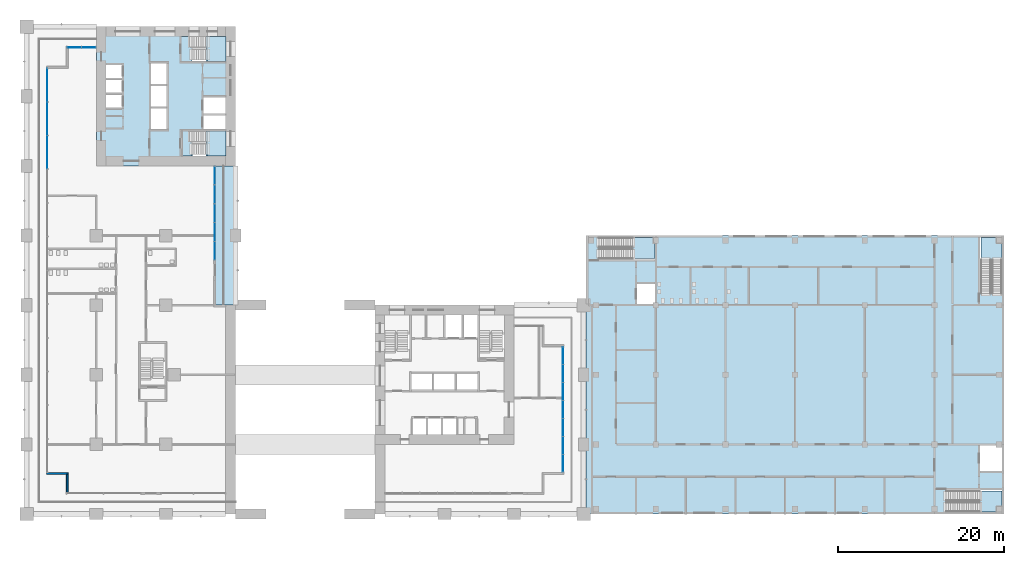
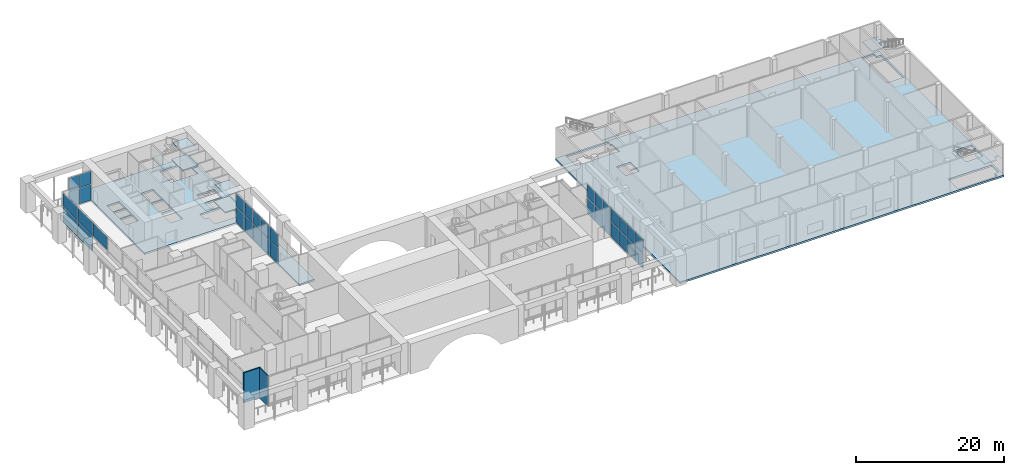
# One storey, part 9 of 26: 33 plates, 12 slabs, 2 walls, 9 elements without a shape of their own.
"""IFC4 building model written with IfcOpenShell, lengths in metres."""

from ifc_helpers import new_model, si_unit, direction, frame, frame_2d, origin, origin_2d, place, context, subcontext, project, spatial, polyline, rectangle, outline, extrude, material, layer, layer_set, type_object, element, aggregate, save


model = new_model("IFC4")

# Units and contexts
model_context = context("Model", 3, precision=1e-05, world=origin(), true_north=direction((0.0, 1.0)))
body_context = subcontext(model_context, "Body", "Model", "MODEL_VIEW")
ifc_project = project(units=[si_unit("LENGTHUNIT", "METRE"), si_unit("AREAUNIT", "SQUARE_METRE"), si_unit("VOLUMEUNIT", "CUBIC_METRE"), si_unit("PLANEANGLEUNIT", "RADIAN"), si_unit("MASSUNIT", "GRAM", prefix="KILO")], contexts=[model_context])

# Site, building, storey
site_placement = place(None, origin())
site = spatial("IfcSite", under=ifc_project, at=site_placement, CompositionType="ELEMENT")
building_placement = place(site_placement, origin())
building = spatial("IfcBuilding", under=site, at=building_placement, Name="Vermilion Gate Residences", CompositionType="ELEMENT")
storey_placement = place(building_placement, frame((0.0, 0.0, 9.0)))
storey = spatial("IfcBuildingStorey", under=building, at=storey_placement, Name="L01", CompositionType="ELEMENT", Elevation=9.0)

# Slab
ifc_material_1 = material(Name="Concrete C35", Category="concrete")
ifc_layer_1 = layer(ifc_material_1, 0.300048828125)
ifc_layer_set_1 = layer_set([ifc_layer_1], Name="FLOOR SLAB 300 C35 (MARKET HALL)")
slab_type_1 = type_object("IfcSlabType", Name="FLOOR SLAB 300 C35 (MARKET HALL)", PredefinedType="FLOOR", material=ifc_layer_set_1)
slab_1_placement = place(storey_placement, frame((0.0, 0.0, -0.300048828125)))
element("IfcSlab", 1, at=slab_1_placement, inside=storey, type_object=slab_type_1, Name="Floor slab L01", PredefinedType="FLOOR", context=body_context, shape_type="SweptSolid", body=[
    extrude(outline(polyline([(67.5, 0.0), (117.89990234375, 0.0), (117.89990234375, 33.60009765625), (67.5, 33.60009765625), (67.5, 0.0)]), holes=[polyline([(110.925048828125, 2.875), (117.64990234375, 2.875), (117.64990234375, 0.949951171875), (116.949951171875, 0.949951171875), (116.949951171875, 0.25), (110.925048828125, 0.25), (110.925048828125, 2.875)]), polyline([(115.02490234375, 5.22509765625), (115.02490234375, 8.27490234375), (117.64990234375, 8.27490234375), (117.64990234375, 5.22509765625), (115.02490234375, 5.22509765625)]), polyline([(73.625, 25.324951171875), (73.625, 27.77490234375), (75.77490234375, 27.77490234375), (75.77490234375, 25.324951171875), (73.625, 25.324951171875)]), polyline([(115.02490234375, 33.35009765625), (116.949951171875, 33.35009765625), (116.949951171875, 32.64990234375), (117.64990234375, 32.64990234375), (117.64990234375, 26.625), (115.02490234375, 26.625), (115.02490234375, 33.35009765625)]), polyline([(69.050048828125, 33.35009765625), (75.550048828125, 33.35009765625), (75.550048828125, 32.64990234375), (75.77490234375, 32.64990234375), (75.77490234375, 30.72509765625), (69.050048828125, 30.72509765625), (69.050048828125, 33.35009765625)])]), origin(), (0.0, 0.0, 1.0), 0.300048828125),
])

# Curtain wall, plates
ifc_material_2 = material(Name="Aluminium and glass", Category="aluminium")
curtain_wall_type_1 = type_object("IfcCurtainWallType", Name="LOBBY ENTRANCE GLAZING CURTAIN WALL", PredefinedType="NOTDEFINED", material=ifc_material_2)
curtain_wall_1_placement = place(storey_placement, origin())
curtain_wall_1 = element("IfcCurtainWall", 2, at=curtain_wall_1_placement, inside=storey, type_object=curtain_wall_type_1, Name="Lobby Entrance Glazing 0", PredefinedType="NOTDEFINED")
ifc_material_3 = material(Name="Low-iron laminated glass", Category="glass")
ifc_layer_2 = layer(ifc_material_3, 0.035888671875)
ifc_layer_set_2 = layer_set([ifc_layer_2], Name="LOBBY ENTRANCE GLAZING GLASS PANEL 36")
plate_type_1 = type_object("IfcPlateType", Name="LOBBY ENTRANCE GLAZING GLASS PANEL 36", PredefinedType="CURTAIN_PANEL", material=ifc_layer_set_2)
plate_1_placement = place(storey_placement, frame((7.47998046875, 56.300048828125, 0.080078125), z_axis=(0.0, 0.0, 1.0), x_axis=(-1.0, 0.0, 0.0)))
plate_1 = element("IfcPlate", 3, at=plate_1_placement, type_object=plate_type_1, Name="ECW5 panel 1.1", PredefinedType="CURTAIN_PANEL", context=body_context, shape_type="SweptSolid", body=[
    extrude(rectangle(XDim=1.679931640625, YDim=0.035888671875, at=origin_2d()), origin(), (0.0, 0.0, 1.0), 2.580078125),
])
plate_2_placement = place(storey_placement, frame((7.47998046875, 56.300048828125, 2.739990234375), z_axis=(0.0, 0.0, 1.0), x_axis=(-1.0, 0.0, 0.0)))
plate_2 = element("IfcPlate", 4, at=plate_2_placement, type_object=plate_type_1, Name="ECW5 panel 1.2", PredefinedType="CURTAIN_PANEL", context=body_context, shape_type="SweptSolid", body=[
    extrude(rectangle(XDim=1.679931640625, YDim=0.035888671875, at=origin_2d()), origin(), (0.0, 0.0, 1.0), 2.1298828125),
])
plate_3_placement = place(storey_placement, frame((5.719970703125, 56.300048828125, 0.080078125), z_axis=(0.0, 0.0, 1.0), x_axis=(-1.0, 0.0, 0.0)))
plate_3 = element("IfcPlate", 5, at=plate_3_placement, type_object=plate_type_1, Name="ECW5 panel 2.1", PredefinedType="CURTAIN_PANEL", context=body_context, shape_type="SweptSolid", body=[
    extrude(rectangle(XDim=1.679931640625, YDim=0.035888671875, at=origin_2d()), origin(), (0.0, 0.0, 1.0), 2.580078125),
])
plate_4_placement = place(storey_placement, frame((5.719970703125, 56.300048828125, 2.739990234375), z_axis=(0.0, 0.0, 1.0), x_axis=(-1.0, 0.0, 0.0)))
plate_4 = element("IfcPlate", 6, at=plate_4_placement, type_object=plate_type_1, Name="ECW5 panel 2.2", PredefinedType="CURTAIN_PANEL", context=body_context, shape_type="SweptSolid", body=[
    extrude(rectangle(XDim=1.679931640625, YDim=0.035888671875, at=origin_2d()), origin(), (0.0, 0.0, 1.0), 2.1298828125),
])
aggregate(curtain_wall_1, [plate_1, plate_2, plate_3, plate_4])

curtain_wall_2_placement = place(storey_placement, origin())
curtain_wall_2 = element("IfcCurtainWall", 7, at=curtain_wall_2_placement, inside=storey, type_object=curtain_wall_type_1, Name="Lobby Entrance Glazing 82", PredefinedType="NOTDEFINED")
plate_5_placement = place(storey_placement, frame((22.699951171875, 31.760009765625, 0.080078125), z_axis=(0.0, 0.0, 1.0), x_axis=(0.0, 1.0, 0.0)))
plate_5 = element("IfcPlate", 8, at=plate_5_placement, type_object=plate_type_1, Name="ECW5 panel 1.1", PredefinedType="CURTAIN_PANEL", context=body_context, shape_type="SweptSolid", body=[
    extrude(rectangle(XDim=2.159912109375, YDim=0.035888671875, at=origin_2d()), origin(), (0.0, 0.0, 1.0), 2.580078125),
])
plate_6_placement = place(storey_placement, frame((22.699951171875, 31.760009765625, 2.739990234375), z_axis=(0.0, 0.0, 1.0), x_axis=(0.0, 1.0, 0.0)))
plate_6 = element("IfcPlate", 9, at=plate_6_placement, type_object=plate_type_1, Name="ECW5 panel 1.2", PredefinedType="CURTAIN_PANEL", context=body_context, shape_type="SweptSolid", body=[
    extrude(rectangle(XDim=2.159912109375, YDim=0.035888671875, at=origin_2d()), origin(), (0.0, 0.0, 1.0), 2.1298828125),
])
plate_7_placement = place(storey_placement, frame((22.699951171875, 34.02001953125, 0.080078125), z_axis=(0.0, 0.0, 1.0), x_axis=(0.0, 1.0, 0.0)))
plate_7 = element("IfcPlate", 10, at=plate_7_placement, type_object=plate_type_1, Name="ECW5 panel 2.1", PredefinedType="CURTAIN_PANEL", context=body_context, shape_type="SweptSolid", body=[
    extrude(rectangle(XDim=2.199951171875, YDim=0.035888671875, at=origin_2d()), origin(), (0.0, 0.0, 1.0), 2.580078125),
])
plate_8_placement = place(storey_placement, frame((22.699951171875, 34.02001953125, 2.739990234375), z_axis=(0.0, 0.0, 1.0), x_axis=(0.0, 1.0, 0.0)))
plate_8 = element("IfcPlate", 11, at=plate_8_placement, type_object=plate_type_1, Name="ECW5 panel 2.2", PredefinedType="CURTAIN_PANEL", context=body_context, shape_type="SweptSolid", body=[
    extrude(rectangle(XDim=2.199951171875, YDim=0.035888671875, at=origin_2d()), origin(), (0.0, 0.0, 1.0), 2.1298828125),
])
plate_9_placement = place(storey_placement, frame((22.699951171875, 36.300048828125, 0.080078125), z_axis=(0.0, 0.0, 1.0), x_axis=(0.0, 1.0, 0.0)))
plate_9 = element("IfcPlate", 12, at=plate_9_placement, type_object=plate_type_1, Name="ECW5 panel 3.1", PredefinedType="CURTAIN_PANEL", context=body_context, shape_type="SweptSolid", body=[
    extrude(rectangle(XDim=2.199951171875, YDim=0.035888671875, at=origin_2d()), origin(), (0.0, 0.0, 1.0), 2.580078125),
])
plate_10_placement = place(storey_placement, frame((22.699951171875, 36.300048828125, 2.739990234375), z_axis=(0.0, 0.0, 1.0), x_axis=(0.0, 1.0, 0.0)))
plate_10 = element("IfcPlate", 13, at=plate_10_placement, type_object=plate_type_1, Name="ECW5 panel 3.2", PredefinedType="CURTAIN_PANEL", context=body_context, shape_type="SweptSolid", body=[
    extrude(rectangle(XDim=2.199951171875, YDim=0.035888671875, at=origin_2d()), origin(), (0.0, 0.0, 1.0), 2.1298828125),
])
plate_11_placement = place(storey_placement, frame((22.699951171875, 38.580078125, 0.080078125), z_axis=(0.0, 0.0, 1.0), x_axis=(0.0, 1.0, 0.0)))
plate_11 = element("IfcPlate", 14, at=plate_11_placement, type_object=plate_type_1, Name="ECW5 panel 4.1", PredefinedType="CURTAIN_PANEL", context=body_context, shape_type="SweptSolid", body=[
    extrude(rectangle(XDim=2.199951171875, YDim=0.035888671875, at=origin_2d()), origin(), (0.0, 0.0, 1.0), 2.580078125),
])
plate_12_placement = place(storey_placement, frame((22.699951171875, 38.580078125, 2.739990234375), z_axis=(0.0, 0.0, 1.0), x_axis=(0.0, 1.0, 0.0)))
plate_12 = element("IfcPlate", 15, at=plate_12_placement, type_object=plate_type_1, Name="ECW5 panel 4.2", PredefinedType="CURTAIN_PANEL", context=body_context, shape_type="SweptSolid", body=[
    extrude(rectangle(XDim=2.199951171875, YDim=0.035888671875, at=origin_2d()), origin(), (0.0, 0.0, 1.0), 2.1298828125),
])
plate_13_placement = place(storey_placement, frame((22.699951171875, 40.840087890625, 0.080078125), z_axis=(0.0, 0.0, 1.0), x_axis=(0.0, 1.0, 0.0)))
plate_13 = element("IfcPlate", 16, at=plate_13_placement, type_object=plate_type_1, Name="ECW5 panel 5.1", PredefinedType="CURTAIN_PANEL", context=body_context, shape_type="SweptSolid", body=[
    extrude(rectangle(XDim=2.159912109375, YDim=0.035888671875, at=origin_2d()), origin(), (0.0, 0.0, 1.0), 2.580078125),
])
plate_14_placement = place(storey_placement, frame((22.699951171875, 40.840087890625, 2.739990234375), z_axis=(0.0, 0.0, 1.0), x_axis=(0.0, 1.0, 0.0)))
plate_14 = element("IfcPlate", 17, at=plate_14_placement, type_object=plate_type_1, Name="ECW5 panel 5.2", PredefinedType="CURTAIN_PANEL", context=body_context, shape_type="SweptSolid", body=[
    extrude(rectangle(XDim=2.159912109375, YDim=0.035888671875, at=origin_2d()), origin(), (0.0, 0.0, 1.0), 2.1298828125),
])
aggregate(curtain_wall_2, [plate_5, plate_6, plate_7, plate_8, plate_9, plate_10, plate_11, plate_12, plate_13, plate_14])

curtain_wall_3_placement = place(storey_placement, origin())
curtain_wall_3 = element("IfcCurtainWall", 18, at=curtain_wall_3_placement, inside=storey, type_object=curtain_wall_type_1, Name="Lobby Entrance Glazing 120", PredefinedType="NOTDEFINED")
plate_15_placement = place(storey_placement, frame((64.699951171875, 6.105712890625, 0.080078125), z_axis=(0.0, 0.0, 1.0), x_axis=(0.0, 1.0, 0.0)))
plate_15 = element("IfcPlate", 19, at=plate_15_placement, type_object=plate_type_1, Name="ECW5 panel 1.1", PredefinedType="CURTAIN_PANEL", context=body_context, shape_type="SweptSolid", body=[
    extrude(rectangle(XDim=2.051513671875, YDim=0.035888671875, at=origin_2d()), origin(), (0.0, 0.0, 1.0), 2.580078125),
])
plate_16_placement = place(storey_placement, frame((64.699951171875, 6.105712890625, 2.739990234375), z_axis=(0.0, 0.0, 1.0), x_axis=(0.0, 1.0, 0.0)))
plate_16 = element("IfcPlate", 20, at=plate_16_placement, type_object=plate_type_1, Name="ECW5 panel 1.2", PredefinedType="CURTAIN_PANEL", context=body_context, shape_type="SweptSolid", body=[
    extrude(rectangle(XDim=2.051513671875, YDim=0.035888671875, at=origin_2d()), origin(), (0.0, 0.0, 1.0), 2.1298828125),
])
plate_17_placement = place(storey_placement, frame((64.699951171875, 8.257080078125, 0.080078125), z_axis=(0.0, 0.0, 1.0), x_axis=(0.0, 1.0, 0.0)))
plate_17 = element("IfcPlate", 21, at=plate_17_placement, type_object=plate_type_1, Name="ECW5 panel 2.1", PredefinedType="CURTAIN_PANEL", context=body_context, shape_type="SweptSolid", body=[
    extrude(rectangle(XDim=2.09130859375, YDim=0.035888671875, at=origin_2d()), origin(), (0.0, 0.0, 1.0), 2.580078125),
])
plate_18_placement = place(storey_placement, frame((64.699951171875, 8.257080078125, 2.739990234375), z_axis=(0.0, 0.0, 1.0), x_axis=(0.0, 1.0, 0.0)))
plate_18 = element("IfcPlate", 22, at=plate_18_placement, type_object=plate_type_1, Name="ECW5 panel 2.2", PredefinedType="CURTAIN_PANEL", context=body_context, shape_type="SweptSolid", body=[
    extrude(rectangle(XDim=2.09130859375, YDim=0.035888671875, at=origin_2d()), origin(), (0.0, 0.0, 1.0), 2.1298828125),
])
plate_19_placement = place(storey_placement, frame((64.699951171875, 10.428466796875, 0.080078125), z_axis=(0.0, 0.0, 1.0), x_axis=(0.0, 1.0, 0.0)))
plate_19 = element("IfcPlate", 23, at=plate_19_placement, type_object=plate_type_1, Name="ECW5 panel 3.1", PredefinedType="CURTAIN_PANEL", context=body_context, shape_type="SweptSolid", body=[
    extrude(rectangle(XDim=2.09130859375, YDim=0.035888671875, at=origin_2d()), origin(), (0.0, 0.0, 1.0), 2.580078125),
])
plate_20_placement = place(storey_placement, frame((64.699951171875, 10.428466796875, 2.739990234375), z_axis=(0.0, 0.0, 1.0), x_axis=(0.0, 1.0, 0.0)))
plate_20 = element("IfcPlate", 24, at=plate_20_placement, type_object=plate_type_1, Name="ECW5 panel 3.2", PredefinedType="CURTAIN_PANEL", context=body_context, shape_type="SweptSolid", body=[
    extrude(rectangle(XDim=2.09130859375, YDim=0.035888671875, at=origin_2d()), origin(), (0.0, 0.0, 1.0), 2.1298828125),
])
plate_21_placement = place(storey_placement, frame((64.699951171875, 12.60009765625, 0.080078125), z_axis=(0.0, 0.0, 1.0), x_axis=(0.0, 1.0, 0.0)))
plate_21 = element("IfcPlate", 25, at=plate_21_placement, type_object=plate_type_1, Name="ECW5 panel 4.1", PredefinedType="CURTAIN_PANEL", context=body_context, shape_type="SweptSolid", body=[
    extrude(rectangle(XDim=2.09130859375, YDim=0.035888671875, at=origin_2d()), origin(), (0.0, 0.0, 1.0), 2.580078125),
])
plate_22_placement = place(storey_placement, frame((64.699951171875, 12.60009765625, 2.739990234375), z_axis=(0.0, 0.0, 1.0), x_axis=(0.0, 1.0, 0.0)))
plate_22 = element("IfcPlate", 26, at=plate_22_placement, type_object=plate_type_1, Name="ECW5 panel 4.2", PredefinedType="CURTAIN_PANEL", context=body_context, shape_type="SweptSolid", body=[
    extrude(rectangle(XDim=2.09130859375, YDim=0.035888671875, at=origin_2d()), origin(), (0.0, 0.0, 1.0), 2.1298828125),
])
plate_23_placement = place(storey_placement, frame((64.699951171875, 14.771484375, 0.080078125), z_axis=(0.0, 0.0, 1.0), x_axis=(0.0, 1.0, 0.0)))
plate_23 = element("IfcPlate", 27, at=plate_23_placement, type_object=plate_type_1, Name="ECW5 panel 5.1", PredefinedType="CURTAIN_PANEL", context=body_context, shape_type="SweptSolid", body=[
    extrude(rectangle(XDim=2.09130859375, YDim=0.035888671875, at=origin_2d()), origin(), (0.0, 0.0, 1.0), 2.580078125),
])
plate_24_placement = place(storey_placement, frame((64.699951171875, 14.771484375, 2.739990234375), z_axis=(0.0, 0.0, 1.0), x_axis=(0.0, 1.0, 0.0)))
plate_24 = element("IfcPlate", 28, at=plate_24_placement, type_object=plate_type_1, Name="ECW5 panel 5.2", PredefinedType="CURTAIN_PANEL", context=body_context, shape_type="SweptSolid", body=[
    extrude(rectangle(XDim=2.09130859375, YDim=0.035888671875, at=origin_2d()), origin(), (0.0, 0.0, 1.0), 2.1298828125),
])
plate_25_placement = place(storey_placement, frame((64.699951171875, 16.94287109375, 0.080078125), z_axis=(0.0, 0.0, 1.0), x_axis=(0.0, 1.0, 0.0)))
plate_25 = element("IfcPlate", 29, at=plate_25_placement, type_object=plate_type_1, Name="ECW5 panel 6.1", PredefinedType="CURTAIN_PANEL", context=body_context, shape_type="SweptSolid", body=[
    extrude(rectangle(XDim=2.09130859375, YDim=0.035888671875, at=origin_2d()), origin(), (0.0, 0.0, 1.0), 2.580078125),
])
plate_26_placement = place(storey_placement, frame((64.699951171875, 16.94287109375, 2.739990234375), z_axis=(0.0, 0.0, 1.0), x_axis=(0.0, 1.0, 0.0)))
plate_26 = element("IfcPlate", 30, at=plate_26_placement, type_object=plate_type_1, Name="ECW5 panel 6.2", PredefinedType="CURTAIN_PANEL", context=body_context, shape_type="SweptSolid", body=[
    extrude(rectangle(XDim=2.09130859375, YDim=0.035888671875, at=origin_2d()), origin(), (0.0, 0.0, 1.0), 2.1298828125),
])
plate_27_placement = place(storey_placement, frame((64.699951171875, 19.09423828125, 0.080078125), z_axis=(0.0, 0.0, 1.0), x_axis=(0.0, 1.0, 0.0)))
plate_27 = element("IfcPlate", 31, at=plate_27_placement, type_object=plate_type_1, Name="ECW5 panel 7.1", PredefinedType="CURTAIN_PANEL", context=body_context, shape_type="SweptSolid", body=[
    extrude(rectangle(XDim=2.051513671875, YDim=0.035888671875, at=origin_2d()), origin(), (0.0, 0.0, 1.0), 2.580078125),
])
plate_28_placement = place(storey_placement, frame((64.699951171875, 19.09423828125, 2.739990234375), z_axis=(0.0, 0.0, 1.0), x_axis=(0.0, 1.0, 0.0)))
plate_28 = element("IfcPlate", 32, at=plate_28_placement, type_object=plate_type_1, Name="ECW5 panel 7.2", PredefinedType="CURTAIN_PANEL", context=body_context, shape_type="SweptSolid", body=[
    extrude(rectangle(XDim=2.051513671875, YDim=0.035888671875, at=origin_2d()), origin(), (0.0, 0.0, 1.0), 2.1298828125),
])
aggregate(curtain_wall_3, [plate_15, plate_16, plate_17, plate_18, plate_19, plate_20, plate_21, plate_22, plate_23, plate_24, plate_25, plate_26, plate_27, plate_28])

ifc_material_4 = material(Name="Aluminium and glass", Category="aluminium")
curtain_wall_type_2 = type_object("IfcCurtainWallType", Name="PODIUM SHOPFRONT CURTAIN WALL", PredefinedType="NOTDEFINED", material=ifc_material_4)
curtain_wall_4_placement = place(storey_placement, origin())
curtain_wall_4 = element("IfcCurtainWall", 33, at=curtain_wall_4_placement, inside=storey, type_object=curtain_wall_type_2, Name="Podium Shopfront 30", PredefinedType="NOTDEFINED")
ifc_material_5 = material(Name="Clear laminated glass", Category="glass")
ifc_layer_3 = layer(ifc_material_5, 0.031982421875)
ifc_layer_set_3 = layer_set([ifc_layer_3], Name="PODIUM SHOPFRONT GLASS PANEL 32")
plate_type_2 = type_object("IfcPlateType", Name="PODIUM SHOPFRONT GLASS PANEL 32", PredefinedType="CURTAIN_PANEL", material=ifc_layer_set_3)
plate_29_placement = place(storey_placement, frame((2.5, 51.751708984375, 0.06005859375), z_axis=(0.0, 0.0, 1.0), x_axis=(0.0, -1.0, 0.0)))
plate_29 = element("IfcPlate", 34, at=plate_29_placement, type_object=plate_type_2, Name="ECW1 panel 1.1", PredefinedType="CURTAIN_PANEL", context=body_context, shape_type="SweptSolid", body=[
    extrude(rectangle(XDim=3.9765625, YDim=0.031982421875, at=origin_2d()), origin(), (0.0, 0.0, 1.0), 2.610107421875),
])
plate_30_placement = place(storey_placement, frame((2.5, 51.751708984375, 2.72998046875), z_axis=(0.0, 0.0, 1.0), x_axis=(0.0, -1.0, 0.0)))
plate_30 = element("IfcPlate", 35, at=plate_30_placement, type_object=plate_type_2, Name="ECW1 panel 1.2", PredefinedType="CURTAIN_PANEL", context=body_context, shape_type="SweptSolid", body=[
    extrude(rectangle(XDim=3.9765625, YDim=0.031982421875, at=origin_2d()), origin(), (0.0, 0.0, 1.0), 2.159912109375),
])
plate_31_placement = place(storey_placement, frame((2.5, 47.699951171875, 0.06005859375), z_axis=(0.0, 0.0, 1.0), x_axis=(0.0, -1.0, 0.0)))
plate_31 = element("IfcPlate", 36, at=plate_31_placement, type_object=plate_type_2, Name="ECW1 panel 2.1", PredefinedType="CURTAIN_PANEL", context=body_context, shape_type="SweptSolid", body=[
    extrude(rectangle(XDim=4.006591796875, YDim=0.031982421875, at=origin_2d()), origin(), (0.0, 0.0, 1.0), 2.610107421875),
])
plate_32_placement = place(storey_placement, frame((2.5, 47.699951171875, 2.72998046875), z_axis=(0.0, 0.0, 1.0), x_axis=(0.0, -1.0, 0.0)))
plate_32 = element("IfcPlate", 37, at=plate_32_placement, type_object=plate_type_2, Name="ECW1 panel 2.2", PredefinedType="CURTAIN_PANEL", context=body_context, shape_type="SweptSolid", body=[
    extrude(rectangle(XDim=4.006591796875, YDim=0.031982421875, at=origin_2d()), origin(), (0.0, 0.0, 1.0), 2.159912109375),
])
plate_33_placement = place(storey_placement, frame((2.5, 43.63330078125, 2.72998046875), z_axis=(0.0, 0.0, 1.0), x_axis=(0.0, -1.0, 0.0)))
plate_33 = element("IfcPlate", 38, at=plate_33_placement, type_object=plate_type_2, Name="ECW1 panel 3.2", PredefinedType="CURTAIN_PANEL", context=body_context, shape_type="SweptSolid", body=[
    extrude(rectangle(XDim=4.006591796875, YDim=0.031982421875, at=origin_2d()), origin(), (0.0, 0.0, 1.0), 2.159912109375),
])
aggregate(curtain_wall_4, [plate_29, plate_30, plate_31, plate_32, plate_33])

# Slabs
ifc_material_6 = material(Name="Concrete C50", Category="concrete")
ifc_layer_4 = layer(ifc_material_6, 0.300048828125)
ifc_layer_set_4 = layer_set([ifc_layer_4], Name="RC CORE FLOOR SLAB 300 C50")
slab_type_2 = type_object("IfcSlabType", Name="RC CORE FLOOR SLAB 300 C50", PredefinedType="FLOOR", material=ifc_layer_set_4)
slab_2_placement = place(storey_placement, frame((0.0, 0.0, -0.300048828125)))
element("IfcSlab", 39, at=slab_2_placement, inside=storey, type_object=slab_type_2, Name="Core floor slab B01", PredefinedType="FLOOR", context=body_context, shape_type="SweptSolid", body=[
    extrude(outline(polyline([(8.39990234375, 42.0), (25.199951171875, 42.0), (25.199951171875, 58.800048828125), (8.39990234375, 58.800048828125), (8.39990234375, 42.0)]), holes=[polyline([(15.0, 48.933349609375), (16.89990234375, 48.933349609375), (16.89990234375, 46.39990234375), (15.0, 46.39990234375), (15.0, 48.933349609375)]), polyline([(9.60009765625, 50.60009765625), (11.5, 50.60009765625), (11.5, 49.0), (9.60009765625, 49.0), (9.60009765625, 50.60009765625)]), polyline([(15.0, 51.666748046875), (16.89990234375, 51.666748046875), (16.89990234375, 49.13330078125), (15.0, 49.13330078125), (15.0, 51.666748046875)]), polyline([(11.5, 52.39990234375), (11.5, 50.800048828125), (9.60009765625, 50.800048828125), (9.60009765625, 52.39990234375), (11.5, 52.39990234375)]), polyline([(16.89990234375, 54.39990234375), (16.89990234375, 51.86669921875), (15.0, 51.86669921875), (15.0, 54.39990234375), (16.89990234375, 54.39990234375)]), polyline([(9.60009765625, 54.199951171875), (11.5, 54.199951171875), (11.5, 52.60009765625), (9.60009765625, 52.60009765625), (9.60009765625, 54.199951171875)]), polyline([(20.0, 43.199951171875), (20.0, 44.89990234375), (19.467529296875, 44.89990234375), (19.467529296875, 46.199951171875), (20.0, 46.199951171875), (24.0, 46.199951171875), (24.0, 43.199951171875), (20.0, 43.199951171875)]), polyline([(21.300048828125, 48.10009765625), (24.0, 48.10009765625), (24.0, 46.39990234375), (21.300048828125, 46.39990234375), (21.300048828125, 48.10009765625)]), polyline([(24.0, 50.300048828125), (24.0, 48.300048828125), (21.300048828125, 48.300048828125), (21.300048828125, 50.300048828125), (24.0, 50.300048828125)]), polyline([(24.0, 57.60009765625), (24.0, 54.60009765625), (19.75, 54.60009765625), (19.75, 57.60009765625), (24.0, 57.60009765625)])]), origin(), (0.0, 0.0, 1.0), 0.300048828125),
])
ifc_material_7 = material(Name="Concrete C50 red-oxide pigmented", Category="concrete")
ifc_layer_5 = layer(ifc_material_7, 0.300048828125)
ifc_layer_set_5 = layer_set([ifc_layer_5], Name="RC LOGGIA SLAB 300 C50")
slab_type_3 = type_object("IfcSlabType", Name="RC LOGGIA SLAB 300 C50", PredefinedType="FLOOR", material=ifc_layer_set_5)
slab_3_placement = place(storey_placement, frame((0.0, 0.0, -0.300048828125)))
element("IfcSlab", 40, at=slab_3_placement, inside=storey, type_object=slab_type_3, Name="Loggia slab L01", PredefinedType="FLOOR", context=body_context, shape_type="SweptSolid", body=[
    extrude(outline(polyline([(25.199951171875, 25.199951171875), (25.199951171875, 42.0), (22.800048828125, 42.0), (22.800048828125, 25.199951171875), (25.199951171875, 25.199951171875)])), origin(), (0.0, 0.0, 1.0), 0.300048828125),
])

# Stair, slab
ifc_material_8 = material(Name="Concrete C35", Category="concrete")
stair_type_1 = type_object("IfcStairType", Name="RC STAIR 1200 (MARKET HALL)", PredefinedType="HALF_TURN_STAIR", material=ifc_material_8)
stair_1_placement = place(storey_placement, origin())
stair_1 = element("IfcStair", 41, at=stair_1_placement, inside=storey, type_object=stair_type_1, Name="Stair STH1-01", PredefinedType="HALF_TURN_STAIR")
ifc_material_9 = material(Name="Concrete C35", Category="concrete")
ifc_layer_6 = layer(ifc_material_9, 0.199951171875)
ifc_layer_set_6 = layer_set([ifc_layer_6], Name="STAIR LANDING 200 C35 (MARKET HALL)")
slab_type_4 = type_object("IfcSlabType", Name="STAIR LANDING 200 C35 (MARKET HALL)", PredefinedType="LANDING", material=ifc_layer_set_6)
slab_4_placement = place(storey_placement, frame((0.0, 0.0, 2.5)))
slab_4 = element("IfcSlab", 42, at=slab_4_placement, type_object=slab_type_4, Name="STH1-01 landing 1", PredefinedType="LANDING", context=body_context, shape_type="SweptSolid", body=[
    extrude(outline(polyline([(75.550048828125, 33.35009765625), (73.10009765625, 33.35009765625), (73.10009765625, 30.800048828125), (75.784912109375, 30.800048828125), (75.784912109375, 32.64990234375), (75.550048828125, 32.64990234375), (75.550048828125, 33.35009765625)])), origin(), (0.0, 0.0, 1.0), 0.199951171875),
])
aggregate(stair_1, [slab_4])

stair_2_placement = place(storey_placement, origin())
stair_2 = element("IfcStair", 43, at=stair_2_placement, inside=storey, type_object=stair_type_1, Name="Stair STH2-01", PredefinedType="HALF_TURN_STAIR")
slab_5_placement = place(storey_placement, frame((0.0, 0.0, 2.5)))
slab_5 = element("IfcSlab", 44, at=slab_5_placement, type_object=slab_type_4, Name="STH2-01 landing 1", PredefinedType="LANDING", context=body_context, shape_type="SweptSolid", body=[
    extrude(outline(polyline([(116.949951171875, 0.949951171875), (117.64990234375, 0.949951171875), (117.64990234375, 0.25), (117.659912109375, 0.25), (117.659912109375, 2.800048828125), (114.97509765625, 2.800048828125), (114.97509765625, 0.25), (116.949951171875, 0.25), (116.949951171875, 0.949951171875)])), origin(), (0.0, 0.0, 1.0), 0.199951171875),
])
aggregate(stair_2, [slab_5])

stair_3_placement = place(storey_placement, origin())
stair_3 = element("IfcStair", 45, at=stair_3_placement, inside=storey, type_object=stair_type_1, Name="Stair STH3-01", PredefinedType="HALF_TURN_STAIR")
slab_6_placement = place(storey_placement, frame((0.0, 0.0, 2.5)))
slab_6 = element("IfcSlab", 46, at=slab_6_placement, type_object=slab_type_4, Name="STH3-01 landing 1", PredefinedType="LANDING", context=body_context, shape_type="SweptSolid", body=[
    extrude(outline(polyline([(117.64990234375, 33.360107421875), (115.10009765625, 33.360107421875), (115.10009765625, 30.675048828125), (117.64990234375, 30.675048828125), (117.64990234375, 32.64990234375), (116.949951171875, 32.64990234375), (116.949951171875, 33.35009765625), (117.64990234375, 33.35009765625), (117.64990234375, 33.360107421875)])), origin(), (0.0, 0.0, 1.0), 0.199951171875),
])
aggregate(stair_3, [slab_6])

# Stair, slabs
ifc_material_10 = material(Name="Concrete C50", Category="concrete")
stair_type_2 = type_object("IfcStairType", Name="SPECIAL ESCAPE STAIR 1300", PredefinedType="HALF_TURN_STAIR", material=ifc_material_10)
stair_4_placement = place(storey_placement, origin())
stair_4 = element("IfcStair", 47, at=stair_4_placement, inside=storey, type_object=stair_type_2, Name="Special escape stair STB1-01", PredefinedType="HALF_TURN_STAIR")
ifc_material_11 = material(Name="Concrete C50", Category="concrete")
ifc_layer_7 = layer(ifc_material_11, 0.199951171875)
ifc_layer_set_7 = layer_set([ifc_layer_7], Name="STAIR LANDING 200 C50")
slab_type_5 = type_object("IfcSlabType", Name="STAIR LANDING 200 C50", PredefinedType="LANDING", material=ifc_layer_set_7)
slab_7_placement = place(storey_placement, frame((0.0, 0.0, 1.14990234375)))
slab_7 = element("IfcSlab", 48, at=slab_7_placement, type_object=slab_type_5, Name="STB1-01 landing 1", PredefinedType="LANDING", context=body_context, shape_type="SweptSolid", body=[
    extrude(outline(polyline([(24.02001953125, 54.580078125), (24.02001953125, 57.6201171875), (21.639892578125, 57.6201171875), (21.639892578125, 54.580078125), (24.02001953125, 54.580078125)])), origin(), (0.0, 0.0, 1.0), 0.2001953125),
])
slab_8_placement = place(storey_placement, frame((0.0, 0.0, 2.5)))
slab_8 = element("IfcSlab", 49, at=slab_8_placement, type_object=slab_type_5, Name="STB1-01 landing 2", PredefinedType="LANDING", context=body_context, shape_type="SweptSolid", body=[
    extrude(outline(polyline([(19.929931640625, 54.580078125), (19.929931640625, 57.6201171875), (18.6298828125, 57.6201171875), (18.6298828125, 54.580078125), (19.929931640625, 54.580078125)])), origin(), (0.0, 0.0, 1.0), 0.199951171875),
])
slab_9_placement = place(storey_placement, frame((0.0, 0.0, 3.85009765625)))
slab_9 = element("IfcSlab", 50, at=slab_9_placement, type_object=slab_type_5, Name="STB1-01 landing 3", PredefinedType="LANDING", context=body_context, shape_type="SweptSolid", body=[
    extrude(outline(polyline([(24.02001953125, 54.580078125), (24.02001953125, 57.6201171875), (21.820068359375, 57.6201171875), (21.820068359375, 54.580078125), (24.02001953125, 54.580078125)])), origin(), (0.0, 0.0, 1.0), 0.199951171875),
])
aggregate(stair_4, [slab_7, slab_8, slab_9])

stair_5_placement = place(storey_placement, origin())
stair_5 = element("IfcStair", 51, at=stair_5_placement, inside=storey, type_object=stair_type_2, Name="Special escape stair STB2-01", PredefinedType="HALF_TURN_STAIR")
slab_10_placement = place(storey_placement, frame((0.0, 0.0, 1.14990234375)))
slab_10 = element("IfcSlab", 52, at=slab_10_placement, type_object=slab_type_5, Name="STB2-01 landing 1", PredefinedType="LANDING", context=body_context, shape_type="SweptSolid", body=[
    extrude(outline(polyline([(24.02001953125, 43.179931640625), (24.02001953125, 46.219970703125), (21.639892578125, 46.219970703125), (21.639892578125, 43.179931640625), (24.02001953125, 43.179931640625)])), origin(), (0.0, 0.0, 1.0), 0.2001953125),
])
slab_11_placement = place(storey_placement, frame((0.0, 0.0, 2.5)))
slab_11 = element("IfcSlab", 53, at=slab_11_placement, type_object=slab_type_5, Name="STB2-01 landing 2", PredefinedType="LANDING", context=body_context, shape_type="SweptSolid", body=[
    extrude(outline(polyline([(19.929931640625, 43.179931640625), (19.929931640625, 46.219970703125), (18.6298828125, 46.219970703125), (18.6298828125, 43.179931640625), (19.929931640625, 43.179931640625)])), origin(), (0.0, 0.0, 1.0), 0.199951171875),
])
slab_12_placement = place(storey_placement, frame((0.0, 0.0, 3.85009765625)))
slab_12 = element("IfcSlab", 54, at=slab_12_placement, type_object=slab_type_5, Name="STB2-01 landing 3", PredefinedType="LANDING", context=body_context, shape_type="SweptSolid", body=[
    extrude(outline(polyline([(24.02001953125, 43.179931640625), (24.02001953125, 46.219970703125), (21.820068359375, 46.219970703125), (21.820068359375, 43.179931640625), (24.02001953125, 43.179931640625)])), origin(), (0.0, 0.0, 1.0), 0.199951171875),
])
aggregate(stair_5, [slab_10, slab_11, slab_12])

# Walls
ifc_material_12 = material(Name="Insulated steel stud wall with terracotta rainscreen", Category="masonry")
ifc_layer_8 = layer(ifc_material_12, 0.199951171875)
ifc_layer_set_8 = layer_set([ifc_layer_8], Name="EXTERNAL WALL 200 TERRACOTTA RAINSCREEN")
wall_type = type_object("IfcWallType", Name="EXTERNAL WALL 200 TERRACOTTA RAINSCREEN", PredefinedType="SOLIDWALL", material=ifc_layer_set_8)
wall_1_placement = place(storey_placement, frame((2.39990234375, 4.89990234375, 0.0), z_axis=(0.0, 0.0, 1.0), x_axis=(1.0, 0.0, 0.0)))
element("IfcWall", 55, at=wall_1_placement, inside=storey, type_object=wall_type, Name="External wall", PredefinedType="SOLIDWALL", context=body_context, shape_type="SweptSolid", body=[
    extrude(rectangle(XDim=2.60009765625, YDim=0.199951171875, at=frame_2d((1.300048828125, 0.0))), origin(), (0.0, 0.0, 1.0), 4.949951171875),
])
wall_2_placement = place(storey_placement, frame((4.89990234375, 4.800048828125, 0.0), z_axis=(0.0, 0.0, 1.0), x_axis=(0.0, -1.0, 0.0)))
element("IfcWall", 56, at=wall_2_placement, inside=storey, type_object=wall_type, Name="External wall", PredefinedType="SOLIDWALL", context=body_context, shape_type="SweptSolid", body=[
    extrude(rectangle(XDim=2.199951171875, YDim=0.199951171875, at=frame_2d((1.10009765625, 0.0))), origin(), (0.0, 0.0, 1.0), 4.949951171875),
])

save(model, "model.ifc")
